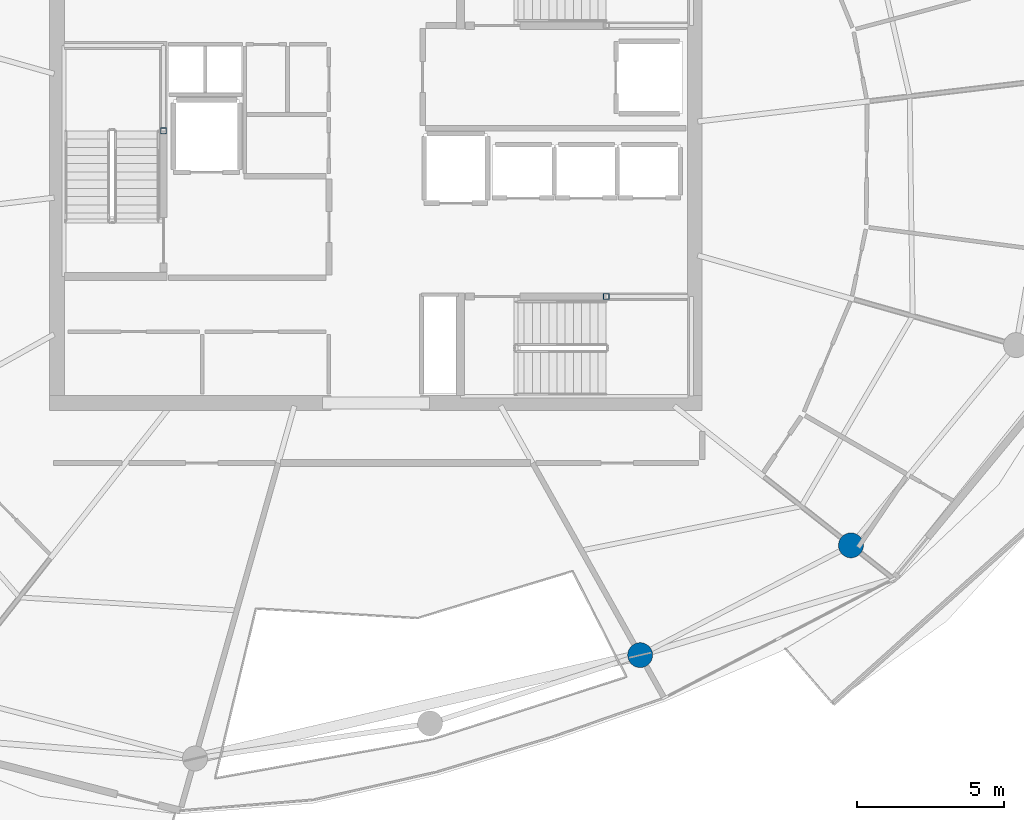
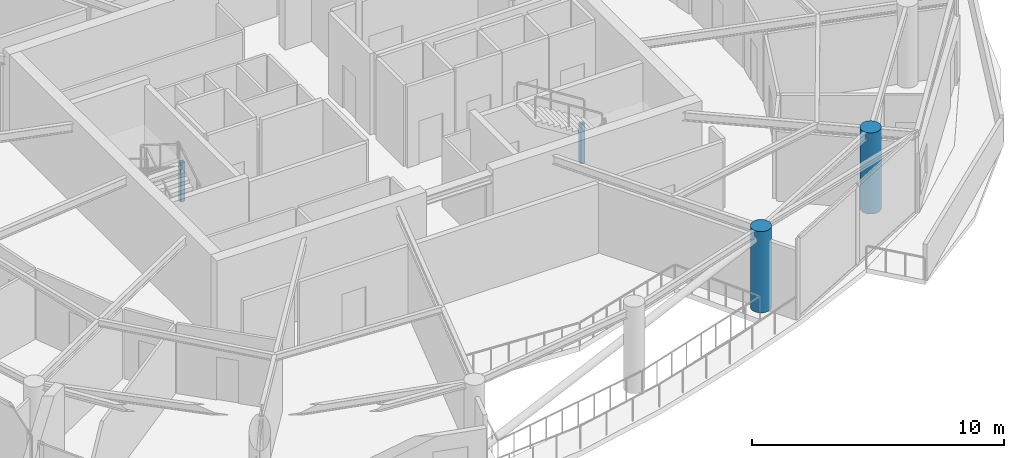
# One storey, part 2 of 22: 4 columns.
"""IFC4 building model written with IfcOpenShell, lengths in metres."""

from ifc_helpers import new_model, si_unit, direction, frame, origin, origin_2d, place, context, subcontext, project, spatial, hollow_rectangle, circle, extrude, material, material_profile, profile_set, type_object, element, save


model = new_model("IFC4")

# Units and contexts
model_context = context("Model", 3, precision=1e-05, world=origin(), true_north=direction((0.0, 1.0)))
body_context = subcontext(model_context, "Body", "Model", "MODEL_VIEW")
ifc_project = project(units=[si_unit("LENGTHUNIT", "METRE"), si_unit("AREAUNIT", "SQUARE_METRE"), si_unit("VOLUMEUNIT", "CUBIC_METRE"), si_unit("PLANEANGLEUNIT", "RADIAN"), si_unit("MASSUNIT", "GRAM", prefix="KILO")], contexts=[model_context])

# Site, building, storey
site_placement = place(None, origin())
site = spatial("IfcSite", under=ifc_project, at=site_placement, CompositionType="ELEMENT")
building_placement = place(site_placement, origin())
building = spatial("IfcBuilding", under=site, at=building_placement, Name="Kazma Halo Residences", CompositionType="ELEMENT")
storey_placement = place(building_placement, frame((0.0, 0.0, 322.10009765625)))
storey = spatial("IfcBuildingStorey", under=building, at=storey_placement, Name="L81", CompositionType="ELEMENT", Elevation=322.10009765625)

# Columns
ifc_material_1 = material(Name="Steel S355", Category="steel")
ifc_material_profile_1 = material_profile(ifc_material_1, hollow_rectangle(XDim=0.199951171875, YDim=0.199951171875, WallThickness=0.010009765625, InnerFilletRadius=0.010009765625, OuterFilletRadius=0.02001953125, at=origin_2d()), Name="SHS200x200x10")
ifc_profile_set_1 = profile_set([ifc_material_profile_1], Name="Steel S355")
column_type_1 = type_object("IfcColumnType", Name="COL-LP-SHS200", PredefinedType="COLUMN", material=ifc_profile_set_1)
for number, where, z_axis, x_axis, name in (
    (1, (41.179931640625, 43.030029296875, 0.0), (0.0, 0.0, 1.0), (1.0, 0.0, 0.0), "L81 ST-01 landing pilaster 1"),
    (2, (56.280029296875, 37.3798828125, 0.0), (0.0, 0.0, 1.0), (1.0, 0.0, 0.0), "L81 ST-03 landing pilaster 1"),
):
    element("IfcColumn", number, at=place(storey_placement, frame(where, z_axis=z_axis, x_axis=x_axis)), inside=storey, type_object=column_type_1, Name=name, PredefinedType="COLUMN", context=body_context, shape_type="SweptSolid", body=[
        extrude(hollow_rectangle(XDim=0.199951171875, YDim=0.199951171875, WallThickness=0.010009765625, InnerFilletRadius=0.010009765625, OuterFilletRadius=0.02001953125, at=origin_2d()), origin(), (0.0, 0.0, 1.0), 1.89501953125),
    ])
ifc_material_2 = material(Name="Concrete C60/75", Category="concrete")
ifc_material_profile_2 = material_profile(ifc_material_2, circle(Radius=0.425048828125, at=origin_2d()), Name="CIRC850")
ifc_profile_set_2 = profile_set([ifc_material_profile_2], Name="Concrete C60/75")
column_type_2 = type_object("IfcColumnType", Name="COL-PERIM-850", PredefinedType="COLUMN", material=ifc_profile_set_2)
for number, where, z_axis, x_axis, name in (
    (3, (57.436767578125, 25.1494140625, 0.0), (0.0, 0.0, 1.0), (1.0, 0.0, 0.0), "L81 perimeter ring column P13"),
    (4, (64.626220703125, 28.89306640625, 0.0), (0.0, 0.0, 1.0), (1.0, 0.0, 0.0), "L81 perimeter ring column P14"),
):
    element("IfcColumn", number, at=place(storey_placement, frame(where, z_axis=z_axis, x_axis=x_axis)), inside=storey, type_object=column_type_2, Name=name, PredefinedType="COLUMN", context=body_context, shape_type="SweptSolid", body=[
        extrude(circle(Radius=0.425048828125, at=origin_2d()), origin(), (0.0, 0.0, 1.0), 3.93994140625),
    ])

save(model, "model.ifc")
